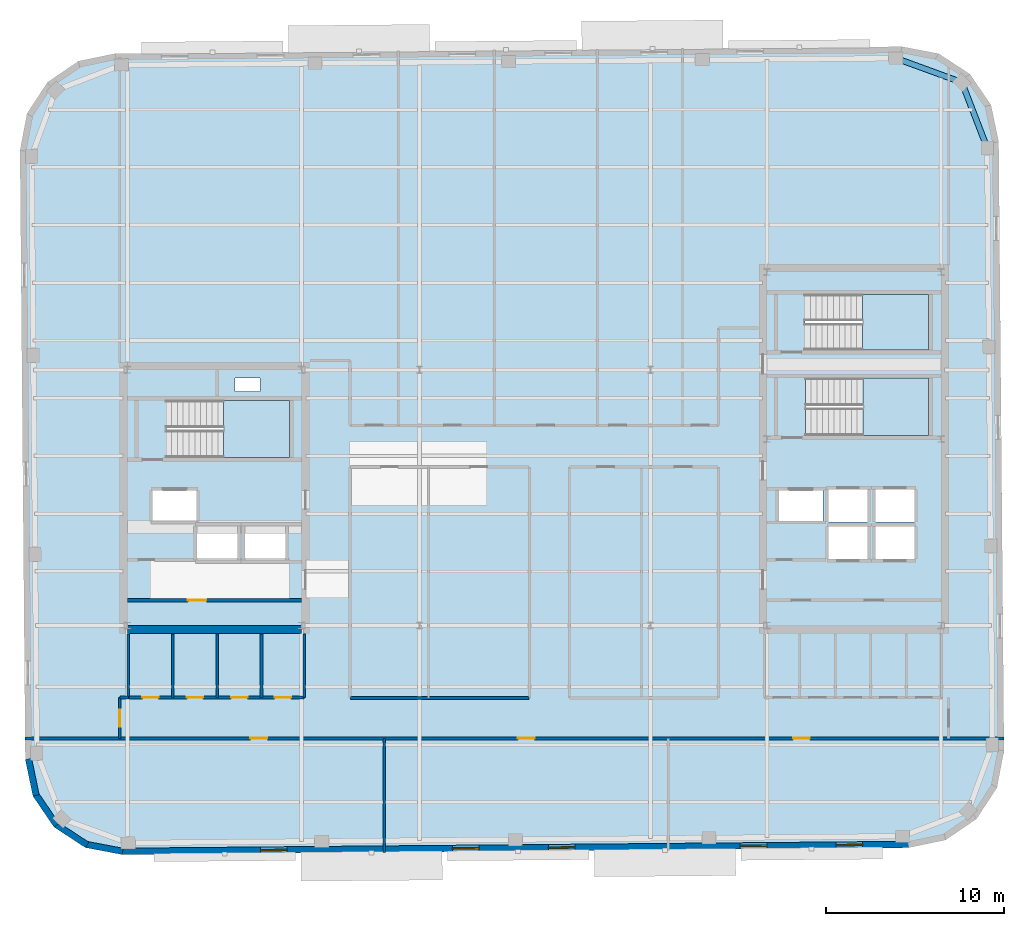
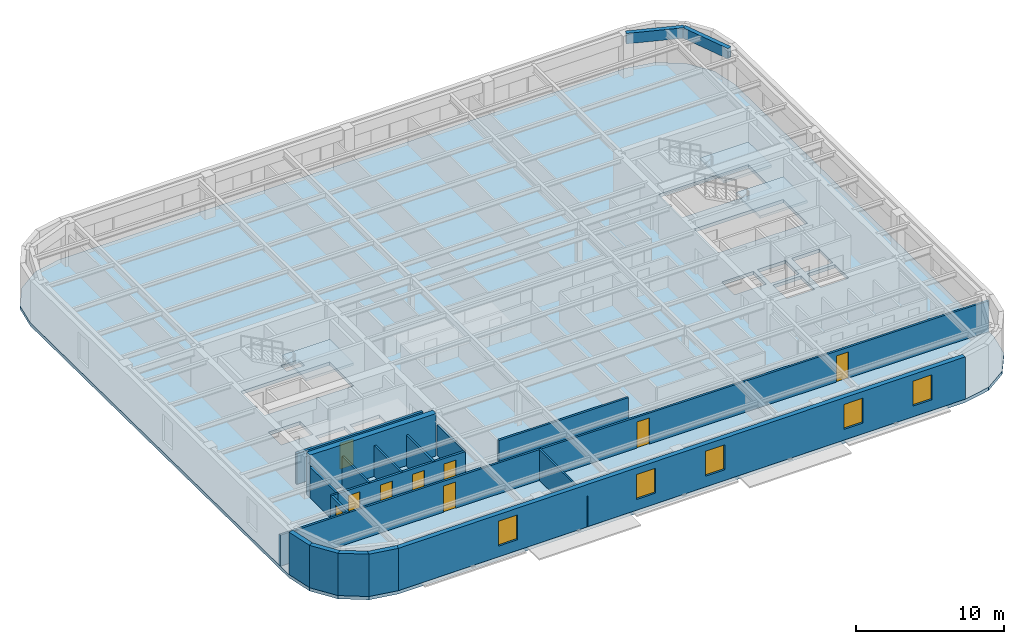
# One storey, part 6 of 13: 18 walls, 9 doors, 5 windows, 4 slabs, 2 beams, 14 openings, 3 elements without a shape of their own.
"""IFC4 building model written with IfcOpenShell, lengths in metres."""

from ifc_helpers import new_model, si_unit, direction, frame, frame_2d, origin, origin_2d, place, context, subcontext, project, spatial, polyline, rectangle, hollow_rectangle, outline, extrude, material, layer, layer_set, material_profile, profile_set, type_object, element, fill, aggregate, save


model = new_model("IFC4")

# Units and contexts
model_context = context("Model", 3, precision=1e-05, world=origin(), true_north=direction((0.0, 1.0)))
body_context = subcontext(model_context, "Body", "Model", "MODEL_VIEW")
ifc_project = project(units=[si_unit("LENGTHUNIT", "METRE"), si_unit("AREAUNIT", "SQUARE_METRE"), si_unit("VOLUMEUNIT", "CUBIC_METRE"), si_unit("PLANEANGLEUNIT", "RADIAN"), si_unit("MASSUNIT", "GRAM", prefix="KILO")], contexts=[model_context])

# Site, building, storey
site_placement = place(None, origin())
site = spatial("IfcSite", under=ifc_project, at=site_placement, CompositionType="ELEMENT")
building_placement = place(site_placement, origin())
building = spatial("IfcBuilding", under=site, at=building_placement, Name="Kolvaren Arena Tower", CompositionType="ELEMENT")
storey_placement = place(building_placement, frame((0.0, 0.0, 301.14990234375)))
storey = spatial("IfcBuildingStorey", under=building, at=storey_placement, Name="L74", CompositionType="ELEMENT", Elevation=301.14990234375)

# Beams
ifc_material_1 = material(Name="Steel CSA G40.21 350WT", Category="steel")
ifc_material_profile = material_profile(ifc_material_1, hollow_rectangle(XDim=0.320068359375, YDim=0.860107421875, WallThickness=0.01806640625, at=origin_2d()), Name="HSS 860x320x18")
ifc_profile_set = profile_set([ifc_material_profile], Name="Steel CSA G40.21 350WT")
beam_type = type_object("IfcBeamType", Name="SPAND-02", PredefinedType="SPANDREL", material=ifc_profile_set)
for number, where, z_axis, x_axis, name in (
    (1, (62.952392578125, 46.333984375, 3.050048828125), (-0.359383792094, 0.933189846698, 0.0), (-0.933189846698, -0.359383792094, 0.0), "Perimeter Spandrel Beam (L74)"),
    (2, (61.52880859375, 50.030517578125, 3.050048828125), (-0.939313819882, 0.343059102458, 0.0), (-0.343059102458, -0.939313819882, 0.0), "Perimeter Spandrel Beam (L74)"),
):
    element("IfcBeam", number, at=place(storey_placement, frame(where, z_axis=z_axis, x_axis=x_axis)), inside=storey, type_object=beam_type, Name=name, PredefinedType="SPANDREL", context=body_context, shape_type="SweptSolid", body=[
        extrude(hollow_rectangle(XDim=0.320068359375, YDim=0.860107421875, WallThickness=0.01806640625, at=origin_2d()), origin(), (0.0, 0.0, 1.0), 3.961181640625),
    ])

# Stair, slab
ifc_material_2 = material(Name="Concrete 45 MPa", Category="concrete")
stair_type_1 = type_object("IfcStairType", Name="STAIR-CORE-165", PredefinedType="HALF_TURN_STAIR", material=ifc_material_2)
stair_1_placement = place(storey_placement, origin())
stair_1 = element("IfcStair", 3, at=stair_1_placement, inside=storey, type_object=stair_type_1, Name="L74 ST-W1", PredefinedType="HALF_TURN_STAIR")
ifc_layer_1 = layer(ifc_material_2, 0.199951171875)
ifc_layer_set_1 = layer_set([ifc_layer_1], Name="Concrete 45 MPa")
slab_type_1 = type_object("IfcSlabType", Name="SLAB-LAND", PredefinedType="LANDING", material=ifc_layer_set_1)
slab_1_placement = place(storey_placement, frame((0.0, 0.0, 1.675048828125)))
slab_1 = element("IfcSlab", 4, at=slab_1_placement, type_object=slab_type_1, Name="ST-W1 landing 1", PredefinedType="LANDING", context=body_context, shape_type="SweptSolid", body=[
    extrude(outline(polyline([(19.9599609375, 28.89990234375), (23.659912109375, 28.89990234375), (23.659912109375, 32.1298828125), (19.9599609375, 32.1298828125), (19.9599609375, 28.89990234375)])), origin(), (0.0, 0.0, 1.0), 0.199951171875),
])
aggregate(stair_1, [slab_1])

stair_2_placement = place(storey_placement, origin())
stair_2 = element("IfcStair", 5, at=stair_2_placement, inside=storey, type_object=stair_type_1, Name="L74 ST-E1", PredefinedType="HALF_TURN_STAIR")
slab_2_placement = place(storey_placement, frame((0.0, 0.0, 1.675048828125)))
slab_2 = element("IfcSlab", 6, at=slab_2_placement, type_object=slab_type_1, Name="ST-E1 landing 1", PredefinedType="LANDING", context=body_context, shape_type="SweptSolid", body=[
    extrude(outline(polyline([(55.9599609375, 30.14990234375), (59.659912109375, 30.14990234375), (59.659912109375, 33.3798828125), (55.9599609375, 33.3798828125), (55.9599609375, 30.14990234375)])), origin(), (0.0, 0.0, 1.0), 0.199951171875),
])
aggregate(stair_2, [slab_2])

stair_type_2 = type_object("IfcStairType", Name="STAIR-CORE-150", PredefinedType="HALF_TURN_STAIR", material=ifc_material_2)
stair_3_placement = place(storey_placement, origin())
stair_3 = element("IfcStair", 7, at=stair_3_placement, inside=storey, type_object=stair_type_2, Name="L74 ST-E2", PredefinedType="HALF_TURN_STAIR")
slab_3_placement = place(storey_placement, frame((0.0, 0.0, 1.675048828125)))
slab_3 = element("IfcSlab", 8, at=slab_3_placement, type_object=slab_type_1, Name="ST-E2 landing 1", PredefinedType="LANDING", context=body_context, shape_type="SweptSolid", body=[
    extrude(outline(polyline([(55.919921875, 34.949951171875), (59.659912109375, 34.949951171875), (59.659912109375, 38.10009765625), (55.919921875, 38.10009765625), (55.919921875, 34.949951171875)])), origin(), (0.0, 0.0, 1.0), 0.199951171875),
])
aggregate(stair_3, [slab_3])

# Slab
ifc_layer_2 = layer(ifc_material_2, 0.27001953125)
ifc_layer_set_2 = layer_set([ifc_layer_2], Name="Concrete 45 MPa")
slab_type_2 = type_object("IfcSlabType", Name="SLAB-OFF2", PredefinedType="FLOOR", material=ifc_layer_set_2)
slab_4_placement = place(storey_placement, frame((0.0, 0.0, -0.27001953125)))
element("IfcSlab", 9, at=slab_4_placement, inside=storey, type_object=slab_type_2, Name="L74 Primary Structural Slab", PredefinedType="FLOOR", context=body_context, shape_type="SweptSolid", body=[
    extrude(outline(polyline([(58.5458984375, 6.944091796875), (60.60888671875, 7.373291015625), (62.350341796875, 8.55908203125), (63.505615234375, 10.321044921875), (63.898681640625, 12.39111328125), (63.599365234375, 46.689697265625), (63.170166015625, 48.752685546875), (61.984375, 50.494140625), (60.222412109375, 51.6494140625), (58.15234375, 52.04248046875), (13.85400390625, 51.65576171875), (11.791259765625, 51.226806640625), (10.049560546875, 50.041015625), (8.894287109375, 48.27880859375), (8.50146484375, 46.208984375), (8.80078125, 11.91015625), (9.229736328125, 9.847412109375), (10.41552734375, 8.105712890625), (12.177490234375, 6.95068359375), (14.24755859375, 6.5576171875), (58.5458984375, 6.944091796875)]), holes=[polyline([(20.739990234375, 23.135009765625), (18.4599609375, 23.135009765625), (18.4599609375, 25.06494140625), (20.739990234375, 25.06494140625), (20.739990234375, 23.135009765625)]), polyline([(21.159912109375, 23.135009765625), (21.159912109375, 25.06494140625), (23.43994140625, 25.06494140625), (23.43994140625, 23.135009765625), (21.159912109375, 23.135009765625)]), polyline([(56.2099609375, 23.18505859375), (54.030029296875, 23.18505859375), (54.030029296875, 25.014892578125), (56.2099609375, 25.014892578125), (56.2099609375, 23.18505859375)]), polyline([(56.669921875, 23.18505859375), (56.669921875, 25.014892578125), (58.85009765625, 25.014892578125), (58.85009765625, 23.18505859375), (56.669921875, 23.18505859375)]), polyline([(54.030029296875, 25.284912109375), (54.030029296875, 27.114990234375), (56.2099609375, 27.114990234375), (56.2099609375, 25.284912109375), (54.030029296875, 25.284912109375)]), polyline([(58.85009765625, 25.284912109375), (56.669921875, 25.284912109375), (56.669921875, 27.114990234375), (58.85009765625, 27.114990234375), (58.85009765625, 25.284912109375)]), polyline([(15.9599609375, 25.3349609375), (15.9599609375, 27.06494140625), (18.43994140625, 27.06494140625), (18.43994140625, 25.3349609375), (15.9599609375, 25.3349609375)]), polyline([(53.699951171875, 25.3349609375), (51.219970703125, 25.3349609375), (51.219970703125, 27.06494140625), (53.699951171875, 27.06494140625), (53.699951171875, 25.3349609375)]), polyline([(16.735107421875, 28.89990234375), (16.735107421875, 32.1298828125), (23.659912109375, 32.1298828125), (23.659912109375, 28.89990234375), (16.735107421875, 28.89990234375)]), polyline([(52.735107421875, 30.14990234375), (52.735107421875, 33.3798828125), (59.659912109375, 33.3798828125), (59.659912109375, 30.14990234375), (52.735107421875, 30.14990234375)]), polyline([(20.60009765625, 32.6201171875), (20.60009765625, 33.39990234375), (22.0, 33.39990234375), (22.0, 32.6201171875), (20.60009765625, 32.6201171875)]), polyline([(52.695068359375, 34.949951171875), (52.695068359375, 38.10009765625), (59.659912109375, 38.10009765625), (59.659912109375, 34.949951171875), (52.695068359375, 34.949951171875)])]), origin(), (0.0, 0.0, 1.0), 0.27001953125),
])

# Wall, openings, doors
ifc_material_3 = material(Name="Gypsum board acoustic assembly", Category="gypsum")
ifc_layer_3 = layer(ifc_material_3, 0.159912109375)
ifc_layer_set_3 = layer_set([ifc_layer_3], Name="Gypsum board acoustic assembly")
wall_type_1 = type_object("IfcWallType", Name="CORR-160", PredefinedType="PARTITIONING", material=ifc_layer_set_3)
wall_1_placement = place(storey_placement, frame((8.790283203125, 13.10009765625, 0.0), z_axis=(0.0, 0.0, 1.0), x_axis=(1.0, 0.0, 0.0)))
wall_1 = element("IfcWall", 10, at=wall_1_placement, inside=storey, type_object=wall_type_1, Name="Interior Partition Wall (L74)", PredefinedType="PARTITIONING", context=body_context, shape_type="SweptSolid", body=[
    extrude(rectangle(XDim=55.10205078125, YDim=0.159912109375, at=frame_2d((27.551025390625, 0.0))), origin(), (0.0, 0.0, 1.0), 2.5400390625),
])
opening_1_placement = place(wall_1_placement, frame((12.684814453125, 0.0, 0.0)))
opening_1 = element("IfcOpeningElement", 11, at=opening_1_placement, cuts=wall_1, Name="Opening D05", PredefinedType="OPENING", context=body_context, shape_type="SweptSolid", body=[
    extrude(rectangle(XDim=0.949951171875, YDim=2.14990234375, at=frame_2d((0.47509765625, 1.074951171875))), frame((0.0, 0.08984375, 0.0), z_axis=(0.0, -1.0, 0.0), x_axis=(1.0, 0.0, 0.0)), (0.0, 0.0, 1.0), 0.179931640625),
])
opening_2_placement = place(wall_1_placement, frame((27.734619140625, 0.0, 0.0)))
opening_2 = element("IfcOpeningElement", 12, at=opening_2_placement, cuts=wall_1, Name="Opening D05", PredefinedType="OPENING", context=body_context, shape_type="SweptSolid", body=[
    extrude(rectangle(XDim=0.949951171875, YDim=2.14990234375, at=frame_2d((0.47509765625, 1.074951171875))), frame((0.0, 0.08984375, 0.0), z_axis=(0.0, -1.0, 0.0), x_axis=(1.0, 0.0, 0.0)), (0.0, 0.0, 1.0), 0.179931640625),
])
opening_3_placement = place(wall_1_placement, frame((43.234619140625, 0.0, 0.0)))
opening_3 = element("IfcOpeningElement", 13, at=opening_3_placement, cuts=wall_1, Name="Opening D05", PredefinedType="OPENING", context=body_context, shape_type="SweptSolid", body=[
    extrude(rectangle(XDim=0.949951171875, YDim=2.14990234375, at=frame_2d((0.47509765625, 1.074951171875))), frame((0.0, 0.08984375, 0.0), z_axis=(0.0, -1.0, 0.0), x_axis=(1.0, 0.0, 0.0)), (0.0, 0.0, 1.0), 0.179931640625),
])
ifc_material_4 = material(Name="Solid-core oak acoustic office door", Category="wood")
door_type_1 = type_object("IfcDoorType", Name="DOOR-OF-095", OperationType="NOTDEFINED", PredefinedType="DOOR", material=ifc_material_4)
door_1_placement = place(opening_1_placement, origin())
door_1 = element("IfcDoor", 14, at=door_1_placement, inside=storey, type_object=door_type_1, Name="Tenant Reception Area Door (L74)", OperationType="SINGLE_SWING_RIGHT", OverallHeight=2.14990234375, OverallWidth=0.949951171875, PredefinedType="DOOR", context=body_context, shape_type="SweptSolid", body=[
    extrude(rectangle(XDim=0.949951171875, YDim=2.14990234375, at=frame_2d((0.47509765625, 1.074951171875))), frame((0.0, 0.02490234375, 0.0), z_axis=(0.0, -1.0, 0.0), x_axis=(1.0, 0.0, 0.0)), (0.0, 0.0, 1.0), 0.050048828125),
])
fill(opening_1, door_1)
door_2_placement = place(opening_2_placement, origin())
door_2 = element("IfcDoor", 15, at=door_2_placement, inside=storey, type_object=door_type_1, Name="Executive Office Door (L74)", OperationType="SINGLE_SWING_LEFT", OverallHeight=2.14990234375, OverallWidth=0.949951171875, PredefinedType="DOOR", context=body_context, shape_type="SweptSolid", body=[
    extrude(rectangle(XDim=0.949951171875, YDim=2.14990234375, at=frame_2d((0.47509765625, 1.074951171875))), frame((0.0, 0.02490234375, 0.0), z_axis=(0.0, -1.0, 0.0), x_axis=(1.0, 0.0, 0.0)), (0.0, 0.0, 1.0), 0.050048828125),
])
fill(opening_2, door_2)
door_3_placement = place(opening_3_placement, origin())
door_3 = element("IfcDoor", 16, at=door_3_placement, inside=storey, type_object=door_type_1, Name="Wellness Room Door (L74)", OperationType="SINGLE_SWING_RIGHT", OverallHeight=2.14990234375, OverallWidth=0.949951171875, PredefinedType="DOOR", context=body_context, shape_type="SweptSolid", body=[
    extrude(rectangle(XDim=0.949951171875, YDim=2.14990234375, at=frame_2d((0.47509765625, 1.074951171875))), frame((0.0, 0.02490234375, 0.0), z_axis=(0.0, -1.0, 0.0), x_axis=(1.0, 0.0, 0.0)), (0.0, 0.0, 1.0), 0.050048828125),
])
fill(opening_3, door_3)

# Wall
wall_2_placement = place(storey_placement, frame((27.10009765625, 15.3798828125, 0.0), z_axis=(0.0, 0.0, 1.0), x_axis=(1.0, 0.0, 0.0)))
element("IfcWall", 17, at=wall_2_placement, inside=storey, type_object=wall_type_1, Name="Interior Partition Wall (L74)", PredefinedType="PARTITIONING", context=body_context, shape_type="SweptSolid", body=[
    extrude(rectangle(XDim=10.059814453125, YDim=0.159912109375, at=frame_2d((5.02978515625, 0.0))), origin(), (0.0, 0.0, 1.0), 2.5400390625),
])

# Wall, opening, door
wall_3_placement = place(storey_placement, frame((14.1201171875, 13.10009765625, 0.0), z_axis=(0.0, 0.0, 1.0), x_axis=(0.0, 1.0, 0.0)))
wall_3 = element("IfcWall", 18, at=wall_3_placement, inside=storey, type_object=wall_type_1, Name="Interior Partition Wall (L74)", PredefinedType="PARTITIONING", context=body_context, shape_type="SweptSolid", body=[
    extrude(rectangle(XDim=2.2998046875, YDim=0.159912109375, at=frame_2d((1.14990234375, 0.0))), origin(), (0.0, 0.0, 1.0), 2.5400390625),
])
opening_4_placement = place(wall_3_placement, frame((0.64990234375, 0.0, 0.0)))
opening_4 = element("IfcOpeningElement", 19, at=opening_4_placement, cuts=wall_3, Name="Opening D05", PredefinedType="OPENING", context=body_context, shape_type="SweptSolid", body=[
    extrude(rectangle(XDim=0.949951171875, YDim=2.14990234375, at=frame_2d((0.47509765625, 1.074951171875))), frame((0.0, 0.08984375, 0.0), z_axis=(0.0, -1.0, 0.0), x_axis=(1.0, 0.0, 0.0)), (0.0, 0.0, 1.0), 0.179931640625),
])
door_4_placement = place(opening_4_placement, origin())
door_4 = element("IfcDoor", 20, at=door_4_placement, inside=storey, type_object=door_type_1, Name="West Wing Office Door (L74)", OperationType="SINGLE_SWING_LEFT", OverallHeight=2.14990234375, OverallWidth=0.949951171875, PredefinedType="DOOR", context=body_context, shape_type="SweptSolid", body=[
    extrude(rectangle(XDim=0.949951171875, YDim=2.14990234375, at=frame_2d((0.47509765625, 1.074951171875))), frame((0.0, 0.02490234375, 0.0), z_axis=(0.0, -1.0, 0.0), x_axis=(1.0, 0.0, 0.0)), (0.0, 0.0, 1.0), 0.050048828125),
])
fill(opening_4, door_4)

# Walls
wall_4_placement = place(storey_placement, frame((14.1201171875, 15.39990234375, 0.0), z_axis=(0.0, 0.0, 1.0), x_axis=(1.0, 0.0, 0.0)))
element("IfcWall", 21, at=wall_4_placement, inside=storey, type_object=wall_type_1, Name="Interior Partition Wall (L74)", PredefinedType="PARTITIONING", context=body_context, shape_type="SweptSolid", body=[
    extrude(rectangle(XDim=0.5, YDim=0.159912109375, at=frame_2d((0.25, 0.0))), origin(), (0.0, 0.0, 1.0), 2.5400390625),
])
ifc_material_5 = material(Name="Concrete 55 MPa", Category="concrete")
ifc_layer_4 = layer(ifc_material_5, 0.449951171875)
ifc_layer_set_4 = layer_set([ifc_layer_4], Name="Concrete 55 MPa")
wall_type_2 = type_object("IfcWallType", Name="CWALL-450", PredefinedType="SHEAR", material=ifc_layer_set_4)
wall_5_placement = place(storey_placement, frame((14.550048828125, 19.22509765625, -0.27001953125), z_axis=(0.0, 0.0, 1.0), x_axis=(1.0, 0.0, 0.0)))
element("IfcWall", 22, at=wall_5_placement, inside=storey, type_object=wall_type_2, Name="Core Shear Wall WC-SOUTH (L74)", PredefinedType="SHEAR", context=body_context, shape_type="SweptSolid", body=[
    extrude(rectangle(XDim=9.800048828125, YDim=0.449951171875, at=frame_2d((4.89990234375, 0.0))), origin(), (0.0, 0.0, 1.0), 3.75),
])
ifc_material_6 = material(Name="Precast concrete C50/60", Category="concrete")
ifc_layer_5 = layer(ifc_material_6, 0.360107421875)
ifc_layer_set_5 = layer_set([ifc_layer_5], Name="Precast concrete C50/60")
wall_type_3 = type_object("IfcWallType", Name="EXT-PIER2", PredefinedType="SOLIDWALL", material=ifc_layer_set_5)
wall_6_placement = place(storey_placement, frame((9.406005859375, 9.884033203125, 0.0), z_axis=(0.0, 0.0, 1.0), x_axis=(-0.203685893209, 0.979036289883, 0.0)))
element("IfcWall", 23, at=wall_6_placement, inside=storey, type_object=wall_type_3, Name="Exterior Precast Masonry-Frame Wall (L74)", PredefinedType="SOLIDWALL", context=body_context, shape_type="SweptSolid", body=[
    extrude(rectangle(XDim=2.107177734375, YDim=0.360107421875, at=frame_2d((1.0537109375, 0.0))), origin(), (0.0, 0.0, 1.0), 3.47998046875),
])
for number, where, z_axis, x_axis, name in (
    (24, (10.564453125, 8.20703125, 0.0), (0.0, 0.0, 1.0), (-0.56277581689, 0.826609569219, 0.0), "Exterior Precast Masonry-Frame Wall (L74)"),
    (25, (12.2763671875, 7.10107421875, 0.0), (0.0, 0.0, 1.0), (-0.836268756678, 0.548319766745, 0.0), "Exterior Precast Masonry-Frame Wall (L74)"),
):
    element("IfcWall", number, at=place(storey_placement, frame(where, z_axis=z_axis, x_axis=x_axis)), inside=storey, type_object=wall_type_3, Name=name, PredefinedType="SOLIDWALL", context=body_context, shape_type="SweptSolid", body=[
        extrude(rectangle(XDim=2.10693359375, YDim=0.360107421875, at=frame_2d((1.053466796875, 0.0))), origin(), (0.0, 0.0, 1.0), 3.47998046875),
    ])
wall_7_placement = place(storey_placement, frame((14.28125, 6.734375, 0.0), z_axis=(0.0, 0.0, 1.0), x_axis=(-0.982445905584, 0.186547695246, 0.0)))
element("IfcWall", 26, at=wall_7_placement, inside=storey, type_object=wall_type_3, Name="Exterior Precast Masonry-Frame Wall (L74)", PredefinedType="SOLIDWALL", context=body_context, shape_type="SweptSolid", body=[
    extrude(rectangle(XDim=2.107177734375, YDim=0.360107421875, at=frame_2d((1.0537109375, 0.0))), origin(), (0.0, 0.0, 1.0), 3.47998046875),
])

# Wall, openings, windows
wall_8_placement = place(storey_placement, frame((58.544189453125, 7.124267578125, 0.0), z_axis=(0.0, 0.0, 1.0), x_axis=(-0.999961896442, -0.008729585516, 0.0)))
wall_8 = element("IfcWall", 27, at=wall_8_placement, inside=storey, type_object=wall_type_3, Name="Exterior Precast Masonry-Frame Wall (L74)", PredefinedType="SOLIDWALL", context=body_context, shape_type="SweptSolid", body=[
    extrude(rectangle(XDim=44.2998046875, YDim=0.360107421875, at=frame_2d((22.14990234375, 0.0))), origin(), (0.0, 0.0, 1.0), 3.47998046875),
])
opening_5_placement = place(wall_8_placement, frame((2.60009765625, 0.0, 0.8798828125)))
opening_5 = element("IfcOpeningElement", 28, at=opening_5_placement, cuts=wall_8, Name="Opening W03", PredefinedType="OPENING", context=body_context, shape_type="SweptSolid", body=[
    extrude(rectangle(XDim=1.5, YDim=2.050048828125, at=frame_2d((0.75, 1.02490234375))), frame((0.0, 0.18994140625, 0.0), z_axis=(0.0, -1.0, 0.0), x_axis=(1.0, 0.0, 0.0)), (0.0, 0.0, 1.0), 0.380126953125),
])
opening_6_placement = place(wall_8_placement, frame((8.0, 0.0, 0.8798828125)))
opening_6 = element("IfcOpeningElement", 29, at=opening_6_placement, cuts=wall_8, Name="Opening W03", PredefinedType="OPENING", context=body_context, shape_type="SweptSolid", body=[
    extrude(rectangle(XDim=1.5, YDim=2.050048828125, at=frame_2d((0.75, 1.02490234375))), frame((0.0, 0.18994140625, 0.0), z_axis=(0.0, -1.0, 0.0), x_axis=(1.0, 0.0, 0.0)), (0.0, 0.0, 1.0), 0.380126953125),
])
opening_7_placement = place(wall_8_placement, frame((18.800048828125, 0.0, 0.8798828125)))
opening_7 = element("IfcOpeningElement", 30, at=opening_7_placement, cuts=wall_8, Name="Opening W03", PredefinedType="OPENING", context=body_context, shape_type="SweptSolid", body=[
    extrude(rectangle(XDim=1.5, YDim=2.050048828125, at=frame_2d((0.75, 1.02490234375))), frame((0.0, 0.18994140625, 0.0), z_axis=(0.0, -1.0, 0.0), x_axis=(1.0, 0.0, 0.0)), (0.0, 0.0, 1.0), 0.380126953125),
])
opening_8_placement = place(wall_8_placement, frame((24.199951171875, 0.0, 0.8798828125)))
opening_8 = element("IfcOpeningElement", 31, at=opening_8_placement, cuts=wall_8, Name="Opening W03", PredefinedType="OPENING", context=body_context, shape_type="SweptSolid", body=[
    extrude(rectangle(XDim=1.5, YDim=2.050048828125, at=frame_2d((0.75, 1.02490234375))), frame((0.0, 0.18994140625, 0.0), z_axis=(0.0, -1.0, 0.0), x_axis=(1.0, 0.0, 0.0)), (0.0, 0.0, 1.0), 0.380126953125),
])
opening_9_placement = place(wall_8_placement, frame((35.0, 0.0, 0.8798828125)))
opening_9 = element("IfcOpeningElement", 32, at=opening_9_placement, cuts=wall_8, Name="Opening W03", PredefinedType="OPENING", context=body_context, shape_type="SweptSolid", body=[
    extrude(rectangle(XDim=1.5, YDim=2.050048828125, at=frame_2d((0.75, 1.02490234375))), frame((0.0, 0.18994140625, 0.0), z_axis=(0.0, -1.0, 0.0), x_axis=(1.0, 0.0, 0.0)), (0.0, 0.0, 1.0), 0.380126953125),
])
ifc_material_7 = material(Name="Triple-glazed low-E aluminium window", Category="aluminium")
window_type = type_object("IfcWindowType", Name="WIN-OFF-C", PartitioningType="SINGLE_PANEL", PredefinedType="WINDOW", material=ifc_material_7)
window_1_placement = place(opening_5_placement, origin())
window_1 = element("IfcWindow", 33, at=window_1_placement, inside=storey, type_object=window_type, Name="Punched Precast-Pier Window (L74)", OverallHeight=2.050048828125, OverallWidth=1.5, PartitioningType="SINGLE_PANEL", PredefinedType="WINDOW", context=body_context, shape_type="SweptSolid", body=[
    extrude(rectangle(XDim=1.5, YDim=2.050048828125, at=frame_2d((0.75, 1.02490234375))), frame((0.0, 0.030029296875, 0.0), z_axis=(0.0, -1.0, 0.0), x_axis=(1.0, 0.0, 0.0)), (0.0, 0.0, 1.0), 0.06005859375),
])
fill(opening_5, window_1)
window_2_placement = place(opening_6_placement, origin())
window_2 = element("IfcWindow", 34, at=window_2_placement, inside=storey, type_object=window_type, Name="Punched Precast-Pier Window (L74)", OverallHeight=2.050048828125, OverallWidth=1.5, PartitioningType="SINGLE_PANEL", PredefinedType="WINDOW", context=body_context, shape_type="SweptSolid", body=[
    extrude(rectangle(XDim=1.5, YDim=2.050048828125, at=frame_2d((0.75, 1.02490234375))), frame((0.0, 0.030029296875, 0.0), z_axis=(0.0, -1.0, 0.0), x_axis=(1.0, 0.0, 0.0)), (0.0, 0.0, 1.0), 0.06005859375),
])
fill(opening_6, window_2)
window_3_placement = place(opening_7_placement, origin())
window_3 = element("IfcWindow", 35, at=window_3_placement, inside=storey, type_object=window_type, Name="Punched Precast-Pier Window (L74)", OverallHeight=2.050048828125, OverallWidth=1.5, PartitioningType="SINGLE_PANEL", PredefinedType="WINDOW", context=body_context, shape_type="SweptSolid", body=[
    extrude(rectangle(XDim=1.5, YDim=2.050048828125, at=frame_2d((0.75, 1.02490234375))), frame((0.0, 0.030029296875, 0.0), z_axis=(0.0, -1.0, 0.0), x_axis=(1.0, 0.0, 0.0)), (0.0, 0.0, 1.0), 0.06005859375),
])
fill(opening_7, window_3)
window_4_placement = place(opening_8_placement, origin())
window_4 = element("IfcWindow", 36, at=window_4_placement, inside=storey, type_object=window_type, Name="Punched Precast-Pier Window (L74)", OverallHeight=2.050048828125, OverallWidth=1.5, PartitioningType="SINGLE_PANEL", PredefinedType="WINDOW", context=body_context, shape_type="SweptSolid", body=[
    extrude(rectangle(XDim=1.5, YDim=2.050048828125, at=frame_2d((0.75, 1.02490234375))), frame((0.0, 0.030029296875, 0.0), z_axis=(0.0, -1.0, 0.0), x_axis=(1.0, 0.0, 0.0)), (0.0, 0.0, 1.0), 0.06005859375),
])
fill(opening_8, window_4)
window_5_placement = place(opening_9_placement, origin())
window_5 = element("IfcWindow", 37, at=window_5_placement, inside=storey, type_object=window_type, Name="Punched Precast-Pier Window (L74)", OverallHeight=2.050048828125, OverallWidth=1.5, PartitioningType="SINGLE_PANEL", PredefinedType="WINDOW", context=body_context, shape_type="SweptSolid", body=[
    extrude(rectangle(XDim=1.5, YDim=2.050048828125, at=frame_2d((0.75, 1.02490234375))), frame((0.0, 0.030029296875, 0.0), z_axis=(0.0, -1.0, 0.0), x_axis=(1.0, 0.0, 0.0)), (0.0, 0.0, 1.0), 0.06005859375),
])
fill(opening_9, window_5)

# Wall, opening, door
ifc_material_8 = material(Name="Concrete 40 MPa", Category="concrete")
ifc_layer_6 = layer(ifc_material_8, 0.199951171875)
ifc_layer_set_6 = layer_set([ifc_layer_6], Name="Concrete 40 MPa")
wall_type_4 = type_object("IfcWallType", Name="LOBBY-200", PredefinedType="SOLIDWALL", material=ifc_layer_set_6)
wall_9_placement = place(storey_placement, frame((14.550048828125, 20.8798828125, 0.0), z_axis=(0.0, 0.0, 1.0), x_axis=(1.0, 0.0, 0.0)))
wall_9 = element("IfcWall", 38, at=wall_9_placement, inside=storey, type_object=wall_type_4, Name="Core Shaft Wall (L74)", PredefinedType="SOLIDWALL", context=body_context, shape_type="SweptSolid", body=[
    extrude(rectangle(XDim=9.800048828125, YDim=0.199951171875, at=frame_2d((4.89990234375, 0.0))), origin(), (0.0, 0.0, 1.0), 2.5400390625),
])
opening_10_placement = place(wall_9_placement, frame((3.39990234375, 0.0, 0.0)))
opening_10 = element("IfcOpeningElement", 39, at=opening_10_placement, cuts=wall_9, Name="Opening D04", PredefinedType="OPENING", context=body_context, shape_type="SweptSolid", body=[
    extrude(rectangle(XDim=1.050048828125, YDim=2.14990234375, at=frame_2d((0.52490234375, 1.074951171875))), frame((0.0, 0.10986328125, 0.0), z_axis=(0.0, -1.0, 0.0), x_axis=(1.0, 0.0, 0.0)), (0.0, 0.0, 1.0), 0.219970703125),
])
ifc_material_9 = material(Name="Fire-rated steel lobby door", Category="steel")
door_type_2 = type_object("IfcDoorType", Name="DOOR-FF-105", OperationType="NOTDEFINED", PredefinedType="DOOR", material=ifc_material_9)
door_5_placement = place(opening_10_placement, origin())
door_5 = element("IfcDoor", 40, at=door_5_placement, inside=storey, type_object=door_type_2, Name="West IT Room Fire Door (L74)", OperationType="SINGLE_SWING_LEFT", OverallHeight=2.14990234375, OverallWidth=1.050048828125, PredefinedType="DOOR", context=body_context, shape_type="SweptSolid", body=[
    extrude(rectangle(XDim=1.050048828125, YDim=2.14990234375, at=frame_2d((0.52490234375, 1.074951171875))), frame((0.0, 0.02490234375, 0.0), z_axis=(0.0, -1.0, 0.0), x_axis=(1.0, 0.0, 0.0)), (0.0, 0.0, 1.0), 0.050048828125),
])
fill(opening_10, door_5)

# Walls
ifc_material_10 = material(Name="Gypsum board partition assembly", Category="gypsum")
ifc_layer_7 = layer(ifc_material_10, 0.135009765625)
ifc_layer_set_7 = layer_set([ifc_layer_7], Name="Gypsum board partition assembly")
wall_type_5 = type_object("IfcWallType", Name="PART-135", PredefinedType="PARTITIONING", material=ifc_layer_set_7)
wall_10_placement = place(storey_placement, frame((29.0, 6.686279296875, 0.0), z_axis=(0.0, 0.0, 1.0), x_axis=(0.0, 1.0, 0.0)))
element("IfcWall", 41, at=wall_10_placement, inside=storey, type_object=wall_type_5, Name="Interior Partition Wall (L74)", PredefinedType="PARTITIONING", context=body_context, shape_type="SweptSolid", body=[
    extrude(rectangle(XDim=6.413818359375, YDim=0.135009765625, at=frame_2d((3.20703125, 0.0))), origin(), (0.0, 0.0, 1.0), 2.5400390625),
])
ifc_material_11 = material(Name="Moisture-resistant gypsum assembly", Category="gypsum")
ifc_layer_8 = layer(ifc_material_11, 0.14990234375)
ifc_layer_set_8 = layer_set([ifc_layer_8], Name="Moisture-resistant gypsum assembly")
wall_type_6 = type_object("IfcWallType", Name="WETW-150", PredefinedType="PARTITIONING", material=ifc_layer_set_8)
for number, where, z_axis, x_axis, name in (
    (42, (17.10009765625, 15.39990234375, 0.0), (0.0, 0.0, 1.0), (0.0, 1.0, 0.0), "Interior Partition Wall (L74)"),
    (43, (19.60009765625, 15.39990234375, 0.0), (0.0, 0.0, 1.0), (0.0, 1.0, 0.0), "Interior Partition Wall (L74)"),
    (44, (22.10009765625, 15.39990234375, 0.0), (0.0, 0.0, 1.0), (0.0, 1.0, 0.0), "Interior Partition Wall (L74)"),
):
    element("IfcWall", number, at=place(storey_placement, frame(where, z_axis=z_axis, x_axis=x_axis)), inside=storey, type_object=wall_type_6, Name=name, PredefinedType="PARTITIONING", context=body_context, shape_type="SweptSolid", body=[
        extrude(rectangle(XDim=3.580078125, YDim=0.14990234375, at=frame_2d((1.7900390625, 0.0))), origin(), (0.0, 0.0, 1.0), 2.5400390625),
    ])

# Wall, openings, doors
wall_11_placement = place(storey_placement, frame((14.60009765625, 15.39990234375, 0.0), z_axis=(0.0, 0.0, 1.0), x_axis=(1.0, 0.0, 0.0)))
wall_11 = element("IfcWall", 45, at=wall_11_placement, inside=storey, type_object=wall_type_6, Name="Interior Partition Wall (L74)", PredefinedType="PARTITIONING", context=body_context, shape_type="SweptSolid", body=[
    extrude(rectangle(XDim=9.89990234375, YDim=0.179931640625, at=frame_2d((4.949951171875, 0.0))), origin(), (0.0, 0.0, 1.0), 2.5400390625),
])
opening_11_placement = place(wall_11_placement, frame((0.7900390625, 0.0, 0.0)))
opening_11 = element("IfcOpeningElement", 46, at=opening_11_placement, cuts=wall_11, Name="Opening D07", PredefinedType="OPENING", context=body_context, shape_type="SweptSolid", body=[
    extrude(rectangle(XDim=0.919921875, YDim=2.10009765625, at=frame_2d((0.4599609375, 1.050048828125))), frame((0.0, 0.099853515625, 0.0), z_axis=(0.0, -1.0, 0.0), x_axis=(1.0, 0.0, 0.0)), (0.0, 0.0, 1.0), 0.199951171875),
])
opening_12_placement = place(wall_11_placement, frame((3.2900390625, 0.0, 0.0)))
opening_12 = element("IfcOpeningElement", 47, at=opening_12_placement, cuts=wall_11, Name="Opening D07", PredefinedType="OPENING", context=body_context, shape_type="SweptSolid", body=[
    extrude(rectangle(XDim=0.919921875, YDim=2.10009765625, at=frame_2d((0.4599609375, 1.050048828125))), frame((0.0, 0.099853515625, 0.0), z_axis=(0.0, -1.0, 0.0), x_axis=(1.0, 0.0, 0.0)), (0.0, 0.0, 1.0), 0.199951171875),
])
opening_13_placement = place(wall_11_placement, frame((5.7900390625, 0.0, 0.0)))
opening_13 = element("IfcOpeningElement", 48, at=opening_13_placement, cuts=wall_11, Name="Opening D07", PredefinedType="OPENING", context=body_context, shape_type="SweptSolid", body=[
    extrude(rectangle(XDim=0.919921875, YDim=2.10009765625, at=frame_2d((0.4599609375, 1.050048828125))), frame((0.0, 0.099853515625, 0.0), z_axis=(0.0, -1.0, 0.0), x_axis=(1.0, 0.0, 0.0)), (0.0, 0.0, 1.0), 0.199951171875),
])
opening_14_placement = place(wall_11_placement, frame((8.239990234375, 0.0, 0.0)))
opening_14 = element("IfcOpeningElement", 49, at=opening_14_placement, cuts=wall_11, Name="Opening D07", PredefinedType="OPENING", context=body_context, shape_type="SweptSolid", body=[
    extrude(rectangle(XDim=0.919921875, YDim=2.10009765625, at=frame_2d((0.4599609375, 1.050048828125))), frame((0.0, 0.099853515625, 0.0), z_axis=(0.0, -1.0, 0.0), x_axis=(1.0, 0.0, 0.0)), (0.0, 0.0, 1.0), 0.199951171875),
])
ifc_material_12 = material(Name="Laminate universal washroom door", Category="wood")
door_type_3 = type_object("IfcDoorType", Name="DOOR-WC-092", OperationType="NOTDEFINED", PredefinedType="DOOR", material=ifc_material_12)
door_6_placement = place(opening_11_placement, origin())
door_6 = element("IfcDoor", 50, at=door_6_placement, inside=storey, type_object=door_type_3, Name="Women Restroom Door (L74)", OperationType="SINGLE_SWING_RIGHT", OverallHeight=2.10009765625, OverallWidth=0.919921875, PredefinedType="DOOR", context=body_context, shape_type="SweptSolid", body=[
    extrude(rectangle(XDim=0.919921875, YDim=2.10009765625, at=frame_2d((0.4599609375, 1.050048828125))), frame((0.0, 0.02490234375, 0.0), z_axis=(0.0, -1.0, 0.0), x_axis=(1.0, 0.0, 0.0)), (0.0, 0.0, 1.0), 0.050048828125),
])
fill(opening_11, door_6)
door_7_placement = place(opening_12_placement, origin())
door_7 = element("IfcDoor", 51, at=door_7_placement, inside=storey, type_object=door_type_3, Name="Men Restroom Door (L74)", OperationType="SINGLE_SWING_LEFT", OverallHeight=2.10009765625, OverallWidth=0.919921875, PredefinedType="DOOR", context=body_context, shape_type="SweptSolid", body=[
    extrude(rectangle(XDim=0.919921875, YDim=2.10009765625, at=frame_2d((0.4599609375, 1.050048828125))), frame((0.0, 0.02490234375, 0.0), z_axis=(0.0, -1.0, 0.0), x_axis=(1.0, 0.0, 0.0)), (0.0, 0.0, 1.0), 0.050048828125),
])
fill(opening_12, door_7)
door_8_placement = place(opening_13_placement, origin())
door_8 = element("IfcDoor", 52, at=door_8_placement, inside=storey, type_object=door_type_3, Name="Universal Barrier-Free Washroom Door (L74)", OperationType="SINGLE_SWING_RIGHT", OverallHeight=2.10009765625, OverallWidth=0.919921875, PredefinedType="DOOR", context=body_context, shape_type="SweptSolid", body=[
    extrude(rectangle(XDim=0.919921875, YDim=2.10009765625, at=frame_2d((0.4599609375, 1.050048828125))), frame((0.0, 0.02490234375, 0.0), z_axis=(0.0, -1.0, 0.0), x_axis=(1.0, 0.0, 0.0)), (0.0, 0.0, 1.0), 0.050048828125),
])
fill(opening_13, door_8)
door_9_placement = place(opening_14_placement, origin())
door_9 = element("IfcDoor", 53, at=door_9_placement, inside=storey, type_object=door_type_3, Name="Linen Store Door (L74)", OperationType="SINGLE_SWING_LEFT", OverallHeight=2.10009765625, OverallWidth=0.919921875, PredefinedType="DOOR", context=body_context, shape_type="SweptSolid", body=[
    extrude(rectangle(XDim=0.919921875, YDim=2.10009765625, at=frame_2d((0.4599609375, 1.050048828125))), frame((0.0, 0.02490234375, 0.0), z_axis=(0.0, -1.0, 0.0), x_axis=(1.0, 0.0, 0.0)), (0.0, 0.0, 1.0), 0.050048828125),
])
fill(opening_14, door_9)

# Walls
for number, where, z_axis, x_axis, name in (
    (54, (14.60009765625, 15.39990234375, 0.0), (0.0, 0.0, 1.0), (0.0, 1.0, 0.0), "Interior Partition Wall (L74)"),
    (55, (24.5, 15.39990234375, 0.0), (0.0, 0.0, 1.0), (0.0, 1.0, 0.0), "Interior Partition Wall (L74)"),
):
    element("IfcWall", number, at=place(storey_placement, frame(where, z_axis=z_axis, x_axis=x_axis)), inside=storey, type_object=wall_type_6, Name=name, PredefinedType="PARTITIONING", context=body_context, shape_type="SweptSolid", body=[
        extrude(rectangle(XDim=3.580078125, YDim=0.14990234375, at=frame_2d((1.7900390625, 0.0))), origin(), (0.0, 0.0, 1.0), 2.5400390625),
    ])

save(model, "model.ifc")
